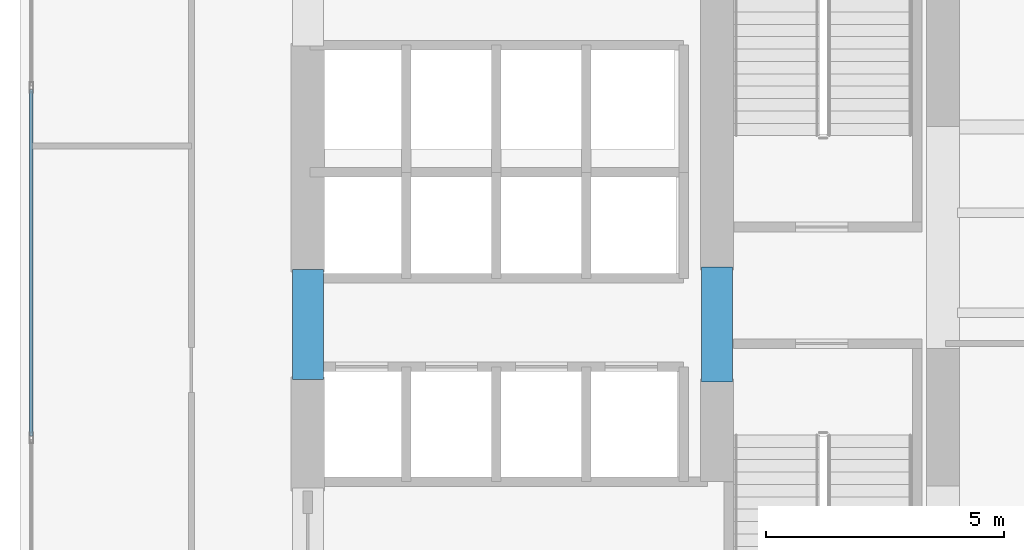
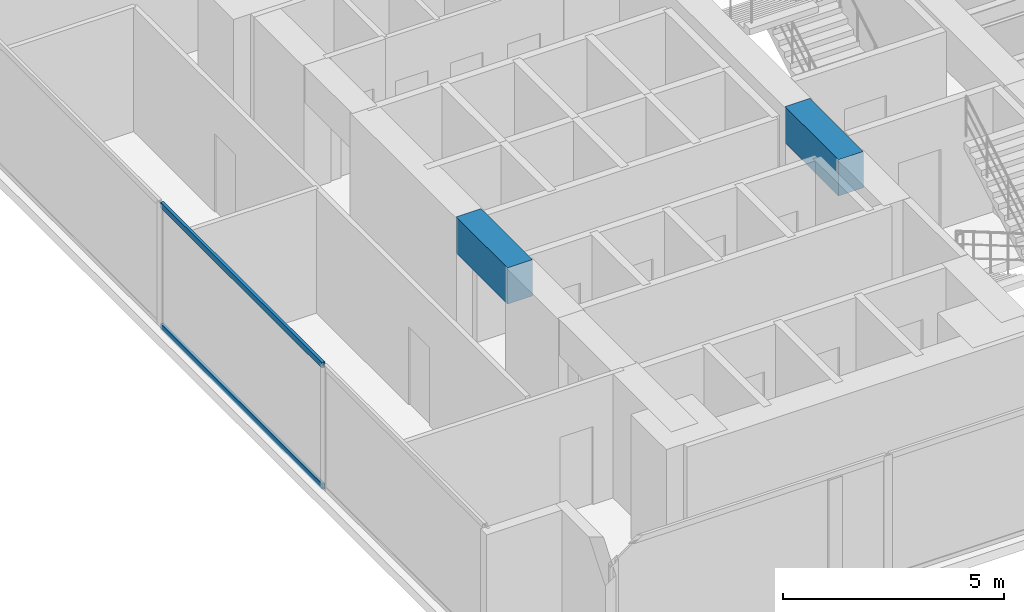
# One storey, part 3 of 28: 2 beams, 2 members, 1 element without a shape of its own.
"""IFC4 building model written with IfcOpenShell, lengths in metres."""

from ifc_helpers import new_model, si_unit, direction, frame, origin, origin_with_axes, origin_2d, place, context, subcontext, project, spatial, rectangle, hollow_rectangle, extrude, source, transform, mapped, material, layer, layer_set, material_profile, profile_set, type_object, element, aggregate, save


model = new_model("IFC4")

# Units and contexts
model_context = context("Model", 3, precision=1e-05, world=origin(), true_north=direction((0.0, 1.0)))
body_context = subcontext(model_context, "Body", "Model", "MODEL_VIEW")
ifc_project = project(units=[si_unit("LENGTHUNIT", "METRE"), si_unit("AREAUNIT", "SQUARE_METRE"), si_unit("VOLUMEUNIT", "CUBIC_METRE"), si_unit("PLANEANGLEUNIT", "RADIAN"), si_unit("MASSUNIT", "GRAM", prefix="KILO")], contexts=[model_context])

# Site, building, storey
site_placement = place(None, origin())
site = spatial("IfcSite", under=ifc_project, at=site_placement, CompositionType="ELEMENT")
building_placement = place(site_placement, origin())
building = spatial("IfcBuilding", under=site, at=building_placement, Name="Kolvaren Waterfront Exchange", CompositionType="ELEMENT")
storey_placement = place(building_placement, frame((0.0, 0.0, 79.0)))
storey = spatial("IfcBuildingStorey", under=building, at=storey_placement, Name="L20", CompositionType="ELEMENT", Elevation=79.0)

# Beams
ifc_material_1 = material(Name="Concrete C60/75", Category="concrete")
ifc_material_profile_1 = material_profile(ifc_material_1, rectangle(XDim=0.64990234375, YDim=1.0, at=origin_2d()), Name="RC-CB-1000x650")
ifc_profile_set_1 = profile_set([ifc_material_profile_1], Name="Concrete C60/75")
beam_type = type_object("IfcBeamType", Name="STR-CB-1000", PredefinedType="SPANDREL", material=ifc_profile_set_1)
beam_1_placement = place(storey_placement, frame((7.449951171875, 12.090087890625, 2.919921875), z_axis=(0.0, 1.0, 0.0), x_axis=(-1.0, 0.0, 0.0)))
element("IfcBeam", 1, at=beam_1_placement, inside=storey, type_object=beam_type, Name="L20 core coupling beam 4", PredefinedType="SPANDREL", context=body_context, shape_type="SweptSolid", body=[
    extrude(rectangle(XDim=0.64990234375, YDim=1.0, at=origin_2d()), origin(), (0.0, 0.0, 1.0), 2.31982421875),
])
beam_2_placement = place(storey_placement, frame((16.050048828125, 12.0400390625, 2.919921875), z_axis=(0.0, 1.0, 0.0), x_axis=(-1.0, 0.0, 0.0)))
element("IfcBeam", 2, at=beam_2_placement, inside=storey, type_object=beam_type, Name="L20 core coupling beam 6", PredefinedType="SPANDREL", context=body_context, shape_type="SweptSolid", body=[
    extrude(rectangle(XDim=0.64990234375, YDim=1.0, at=origin_2d()), origin(), (0.0, 0.0, 1.0), 2.419921875),
])

# Curtain wall, members
ifc_material_2 = material(Name="Anodised aluminium 6063-T6", Category="aluminium")
ifc_layer = layer(ifc_material_2, 0.219970703125, Name="Anodised aluminium 6063-T6")
ifc_layer_set = layer_set([ifc_layer], Name="Anodised aluminium 6063-T6")
curtain_wall_type = type_object("IfcCurtainWallType", Name="ARC-CW-SYS2", PredefinedType="USERDEFINED", material=ifc_layer_set)
curtain_wall_placement = place(storey_placement, origin())
curtain_wall = element("IfcCurtainWall", 3, at=curtain_wall_placement, inside=storey, type_object=curtain_wall_type, Name="L20 stick curtain wall CW2 (CW-L20-W)", ObjectType="STICK CURTAIN WALL", PredefinedType="USERDEFINED")
ifc_material_profile_2 = material_profile(ifc_material_2, hollow_rectangle(XDim=0.074951171875, YDim=0.159912109375, WallThickness=0.00439453125, at=origin_2d()), Name="ALU-TRN-160x75x4.5")
ifc_profile_set_2 = profile_set([ifc_material_profile_2], Name="Anodised aluminium 6063-T6")
member_type = type_object("IfcMemberType", Name="ARC-CWT-160", PredefinedType="USERDEFINED", material=ifc_profile_set_2)
shared_shape = source(origin_with_axes(), body_context, "Body", "SweptSolid", [
    extrude(hollow_rectangle(XDim=0.074951171875, YDim=0.159912109375, WallThickness=0.00439453125, at=origin_2d()), origin(), (0.0, 0.0, 1.0), 7.28662109375),
])
member_1_placement = place(storey_placement, frame((1.639892578125, 10.90673828125, 0.03759765625), z_axis=(0.0, 1.0, 0.0), x_axis=(-1.0, 0.0, 0.0)))
member_1 = element("IfcMember", 4, at=member_1_placement, type_object=member_type, Name="CW2 transom 2.1", ObjectType="TRANSOM", PredefinedType="USERDEFINED", context=body_context, shape_type="MappedRepresentation", body=[
    mapped(shared_shape, transform((0.0, 0.0, 0.0), x_axis=(1.0, 0.0, 0.0), y_axis=(0.0, 1.0, 0.0), z_axis=(0.0, 0.0, 1.0), scale=1.0)),
])
member_2_placement = place(storey_placement, frame((1.639892578125, 10.90673828125, 3.382568359375), z_axis=(0.0, 1.0, 0.0), x_axis=(-1.0, 0.0, 0.0)))
member_2 = element("IfcMember", 5, at=member_2_placement, type_object=member_type, Name="CW2 transom 2.2", ObjectType="TRANSOM", PredefinedType="USERDEFINED", context=body_context, shape_type="MappedRepresentation", body=[
    mapped(shared_shape, transform((0.0, 0.0, 0.0), x_axis=(1.0, 0.0, 0.0), y_axis=(0.0, 1.0, 0.0), z_axis=(0.0, 0.0, 1.0), scale=1.0)),
])
aggregate(curtain_wall, [member_1, member_2])

save(model, "model.ifc")
